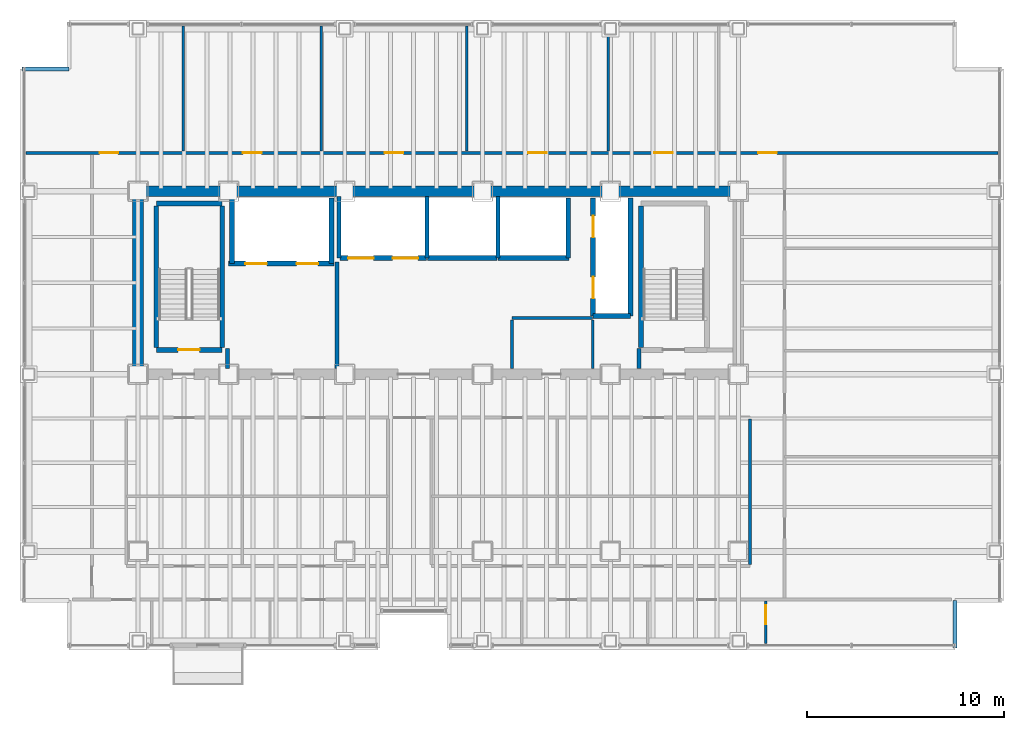
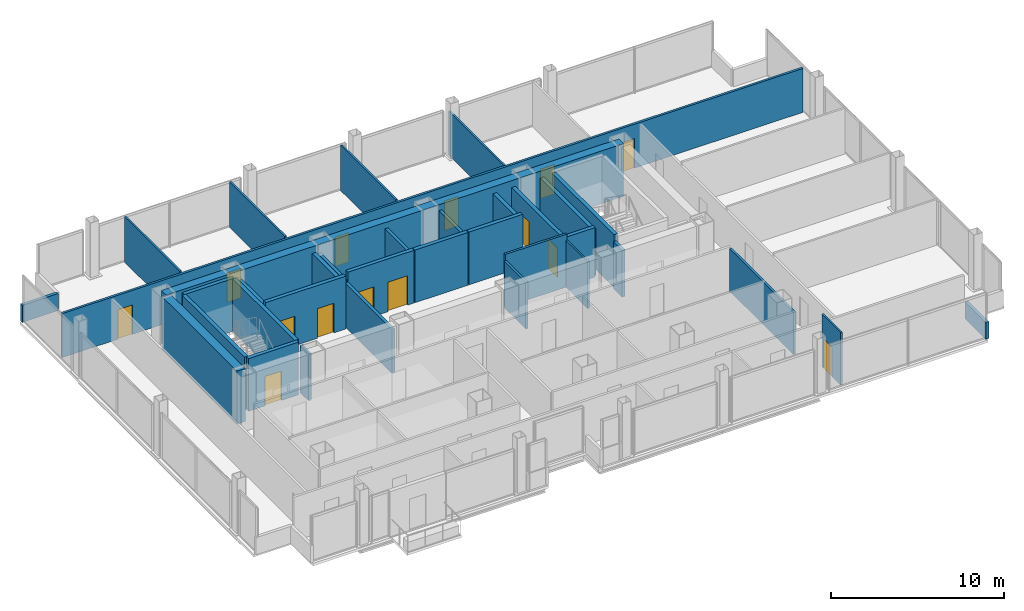
# One storey, part 18 of 20: 35 walls, 14 doors, 14 openings.
"""IFC4 building model written with IfcOpenShell, lengths in metres."""

from ifc_helpers import new_model, si_unit, direction, frame, frame_2d, origin, place, context, subcontext, project, spatial, rectangle, extrude, material, layer, layer_set, type_object, element, fill, save


model = new_model("IFC4")

# Units and contexts
model_context = context("Model", 3, precision=1e-05, world=origin(), true_north=direction((0.0, 1.0)))
body_context = subcontext(model_context, "Body", "Model", "MODEL_VIEW")
ifc_project = project(units=[si_unit("LENGTHUNIT", "METRE"), si_unit("AREAUNIT", "SQUARE_METRE"), si_unit("VOLUMEUNIT", "CUBIC_METRE"), si_unit("PLANEANGLEUNIT", "RADIAN"), si_unit("MASSUNIT", "GRAM", prefix="KILO")], contexts=[model_context])

# Site, building, storey
site_placement = place(None, origin())
site = spatial("IfcSite", under=ifc_project, at=site_placement, CompositionType="ELEMENT")
building_placement = place(site_placement, origin())
building = spatial("IfcBuilding", under=site, at=building_placement, Name="Noeulbin Bourse Tower", CompositionType="ELEMENT")
storey_placement = place(building_placement, frame((0.0, 0.0, 73.300048828125)))
storey = spatial("IfcBuildingStorey", under=building, at=storey_placement, Name="L18", CompositionType="ELEMENT", Elevation=73.300048828125)

# Walls
ifc_material_1 = material(Name="Concrete C60/75", Category="concrete")
ifc_layer_1 = layer(ifc_material_1, 0.550048828125)
ifc_layer_set_1 = layer_set([ifc_layer_1], Name="Concrete C60/75")
wall_type_1 = type_object("IfcWallType", Name="WAL-CORE-550", PredefinedType="SHEAR", material=ifc_layer_set_1)
wall_1_placement = place(storey_placement, frame((13.5, 38.300048828125, 0.0), z_axis=(0.0, 0.0, 1.0), x_axis=(1.0, 0.0, 0.0)))
element("IfcWall", 1, at=wall_1_placement, inside=storey, type_object=wall_type_1, Name="Rear Core North Shear Wall L18", PredefinedType="SHEAR", context=body_context, shape_type="SweptSolid", body=[
    extrude(rectangle(XDim=30.5, YDim=0.550048828125, at=frame_2d((15.25, 0.0))), origin(), (0.0, 0.0, 1.0), 3.719970703125),
])
wall_2_placement = place(storey_placement, frame((13.5, 29.35009765625, 0.0), z_axis=(0.0, 0.0, 1.0), x_axis=(0.0, 1.0, 0.0)))
element("IfcWall", 2, at=wall_2_placement, inside=storey, type_object=wall_type_1, Name="Rear Core West Shear Wall L18", PredefinedType="SHEAR", context=body_context, shape_type="SweptSolid", body=[
    extrude(rectangle(XDim=8.599853515625, YDim=0.550048828125, at=frame_2d((4.2998046875, 0.0))), origin(), (0.0, 0.0, 1.0), 3.719970703125),
])
ifc_material_2 = material(Name="Concrete C40/50", Category="concrete")
ifc_layer_2 = layer(ifc_material_2, 0.199951171875)
ifc_layer_set_2 = layer_set([ifc_layer_2], Name="Concrete C40/50")
wall_type_2 = type_object("IfcWallType", Name="WAL-FIRE-200", PredefinedType="STANDARD", material=ifc_layer_set_2)
for number, where, z_axis, x_axis, name in (
    (3, (18.050048828125, 29.284912109375, 0.0), (0.0, 0.0, 1.0), (0.0, 1.0, 0.0), "Interior Partition Wall L18-15"),
    (4, (38.949951171875, 29.284912109375, 0.0), (0.0, 0.0, 1.0), (0.0, 1.0, 0.0), "Interior Partition Wall L18-16"),
):
    element("IfcWall", number, at=place(storey_placement, frame(where, z_axis=z_axis, x_axis=x_axis)), inside=storey, type_object=wall_type_2, Name=name, PredefinedType="STANDARD", context=body_context, shape_type="SweptSolid", body=[
        extrude(rectangle(XDim=1.01513671875, YDim=0.199951171875, at=frame_2d((0.507568359375, 0.0))), origin(), (0.0, 0.0, 1.0), 3.300048828125),
    ])
wall_3_placement = place(storey_placement, frame((23.60009765625, 29.284912109375, 0.0), z_axis=(0.0, 0.0, 1.0), x_axis=(0.0, 1.0, 0.0)))
element("IfcWall", 5, at=wall_3_placement, inside=storey, type_object=wall_type_2, Name="Interior Partition Wall L18-17", PredefinedType="STANDARD", context=body_context, shape_type="SweptSolid", body=[
    extrude(rectangle(XDim=5.4150390625, YDim=0.199951171875, at=frame_2d((2.70751953125, 0.0))), origin(), (0.0, 0.0, 1.0), 3.099853515625),
])
ifc_layer_3 = layer(ifc_material_2, 0.199951171875)
ifc_layer_set_3 = layer_set([ifc_layer_3], Name="Concrete C40/50")
wall_type_3 = type_object("IfcWallType", Name="WAL-PAR-200", PredefinedType="PARAPET", material=ifc_layer_set_3)
for number, where, z_axis, x_axis, name in (
    (6, (55.0, 15.10009765625, 0.0), (0.0, 0.0, 1.0), (0.0, 1.0, 0.0), "Corner Notch Parapet L18-SE1"),
    (7, (7.60009765625, 44.5, 0.0), (0.0, 0.0, 1.0), (1.0, 0.0, 0.0), "Corner Notch Parapet L18-NW1"),
):
    element("IfcWall", number, at=place(storey_placement, frame(where, z_axis=z_axis, x_axis=x_axis)), inside=storey, type_object=wall_type_3, Name=name, PredefinedType="PARAPET", context=body_context, shape_type="SweptSolid", body=[
        extrude(rectangle(XDim=2.39990234375, YDim=0.199951171875, at=frame_2d((1.199951171875, 0.0))), origin(), (0.0, 0.0, 1.0), 1.199951171875),
    ])
ifc_material_3 = material(Name="Steel Stud Gypsum Partition", Category="steel")
ifc_layer_4 = layer(ifc_material_3, 0.1201171875)
ifc_layer_set_4 = layer_set([ifc_layer_4], Name="Steel Stud Gypsum Partition")
wall_type_4 = type_object("IfcWallType", Name="WAL-PRT-120", PredefinedType="PARTITIONING", material=ifc_layer_set_4)
wall_4_placement = place(storey_placement, frame((36.60009765625, 29.284912109375, 0.0), z_axis=(0.0, 0.0, 1.0), x_axis=(0.0, 1.0, 0.0)))
element("IfcWall", 8, at=wall_4_placement, inside=storey, type_object=wall_type_4, Name="Interior Partition Wall L18-19", PredefinedType="PARTITIONING", context=body_context, shape_type="SweptSolid", body=[
    extrude(rectangle(XDim=2.47998046875, YDim=0.1201171875, at=frame_2d((1.239990234375, 0.0))), origin(), (0.0, 0.0, 1.0), 3.300048828125),
])

# Wall, opening, door
wall_5_placement = place(storey_placement, frame((45.39990234375, 15.31005859375, 0.0), z_axis=(0.0, 0.0, 1.0), x_axis=(0.0, 1.0, 0.0)))
wall_5 = element("IfcWall", 9, at=wall_5_placement, inside=storey, type_object=wall_type_4, Name="Interior Partition Wall L18-30", PredefinedType="PARTITIONING", context=body_context, shape_type="SweptSolid", body=[
    extrude(rectangle(XDim=2.155029296875, YDim=0.1201171875, at=frame_2d((1.07763671875, 0.0))), origin(), (0.0, 0.0, 1.0), 3.719970703125),
])
opening_1_placement = place(wall_5_placement, frame((0.9951171875, 0.0, 0.0)))
opening_1 = element("IfcOpeningElement", 10, at=opening_1_placement, cuts=wall_5, Name="Opening ID-09", PredefinedType="OPENING", context=body_context, shape_type="SweptSolid", body=[
    extrude(rectangle(XDim=0.949951171875, YDim=2.080078125, at=frame_2d((0.47509765625, 1.0400390625))), frame((0.0, 0.070068359375, 0.0), z_axis=(0.0, -1.0, 0.0), x_axis=(1.0, 0.0, 0.0)), (0.0, 0.0, 1.0), 0.14013671875),
])
ifc_material_4 = material(Name="Acoustic Solid-Core Timber", Category="wood")
door_type_1 = type_object("IfcDoorType", Name="DR-SINGLE-950", OperationType="SINGLE_SWING_LEFT", PredefinedType="DOOR", material=ifc_material_4)
door_1_placement = place(opening_1_placement, origin())
door_1 = element("IfcDoor", 11, at=door_1_placement, inside=storey, type_object=door_type_1, Name="Interior Door L18-12", OperationType="SINGLE_SWING_LEFT", OverallHeight=2.080078125, OverallWidth=0.949951171875, PredefinedType="DOOR", context=body_context, shape_type="SweptSolid", body=[
    extrude(rectangle(XDim=0.949951171875, YDim=2.080078125, at=frame_2d((0.47509765625, 1.0400390625))), frame((0.0, 0.02490234375, 0.0), z_axis=(0.0, -1.0, 0.0), x_axis=(1.0, 0.0, 0.0)), (0.0, 0.0, 1.0), 0.050048828125),
])
fill(opening_1, door_1)

# Walls
for number, where, z_axis, x_axis, name in (
    (12, (15.800048828125, 40.3349609375, 0.0), (0.0, 0.0, 1.0), (0.0, 1.0, 0.0), "Interior Partition Wall L18-33"),
    (13, (22.800048828125, 40.3349609375, 0.0), (0.0, 0.0, 1.0), (0.0, 1.0, 0.0), "Interior Partition Wall L18-34"),
    (14, (30.199951171875, 40.3349609375, 0.0), (0.0, 0.0, 1.0), (0.0, 1.0, 0.0), "Interior Partition Wall L18-35"),
):
    element("IfcWall", number, at=place(storey_placement, frame(where, z_axis=z_axis, x_axis=x_axis)), inside=storey, type_object=wall_type_4, Name=name, PredefinedType="PARTITIONING", context=body_context, shape_type="SweptSolid", body=[
        extrude(rectangle(XDim=6.35498046875, YDim=0.1201171875, at=frame_2d((3.177490234375, 0.0))), origin(), (0.0, 0.0, 1.0), 3.2119140625),
    ])
wall_6_placement = place(storey_placement, frame((37.39990234375, 40.3349609375, 0.0), z_axis=(0.0, 0.0, 1.0), x_axis=(0.0, 1.0, 0.0)))
element("IfcWall", 15, at=wall_6_placement, inside=storey, type_object=wall_type_4, Name="Interior Partition Wall L18-36", PredefinedType="PARTITIONING", context=body_context, shape_type="SweptSolid", body=[
    extrude(rectangle(XDim=6.35498046875, YDim=0.1201171875, at=frame_2d((3.177490234375, 0.0))), origin(), (0.0, 0.0, 1.0), 3.099853515625),
])
ifc_material_5 = material(Name="Steel Stud Acoustic Gypsum Board", Category="steel")
ifc_layer_5 = layer(ifc_material_5, 0.14990234375)
ifc_layer_set_5 = layer_set([ifc_layer_5], Name="Steel Stud Acoustic Gypsum Board")
wall_type_5 = type_object("IfcWallType", Name="WAL-PRT-150", PredefinedType="PARTITIONING", material=ifc_layer_set_5)
wall_7_placement = place(storey_placement, frame((32.5, 31.85009765625, 0.0), z_axis=(0.0, 0.0, 1.0), x_axis=(1.0, 0.0, 0.0)))
element("IfcWall", 16, at=wall_7_placement, inside=storey, type_object=wall_type_5, Name="Interior Partition Wall L18-02", PredefinedType="PARTITIONING", context=body_context, shape_type="SweptSolid", body=[
    extrude(rectangle(XDim=4.10009765625, YDim=0.14990234375, at=frame_2d((2.050048828125, 0.0))), origin(), (0.0, 0.0, 1.0), 3.719970703125),
])

# Wall, openings, doors
wall_8_placement = place(storey_placement, frame((7.81005859375, 40.25, 0.0), z_axis=(0.0, 0.0, 1.0), x_axis=(1.0, 0.0, 0.0)))
wall_8 = element("IfcWall", 17, at=wall_8_placement, inside=storey, type_object=wall_type_5, Name="Interior Partition Wall L18-14", PredefinedType="PARTITIONING", context=body_context, shape_type="SweptSolid", body=[
    extrude(rectangle(XDim=49.3798828125, YDim=0.14990234375, at=frame_2d((24.68994140625, 0.0))), origin(), (0.0, 0.0, 1.0), 3.099853515625),
])
opening_2_placement = place(wall_8_placement, frame((3.72998046875, 0.0, 0.0)))
opening_2 = element("IfcOpeningElement", 18, at=opening_2_placement, cuts=wall_8, Name="Opening ID-09", PredefinedType="OPENING", context=body_context, shape_type="SweptSolid", body=[
    extrude(rectangle(XDim=0.949951171875, YDim=2.080078125, at=frame_2d((0.47509765625, 1.0400390625))), frame((0.0, 0.0849609375, 0.0), z_axis=(0.0, -1.0, 0.0), x_axis=(1.0, 0.0, 0.0)), (0.0, 0.0, 1.0), 0.169921875),
])
opening_3_placement = place(wall_8_placement, frame((11.014892578125, 0.0, 0.0)))
opening_3 = element("IfcOpeningElement", 19, at=opening_3_placement, cuts=wall_8, Name="Opening ID-09", PredefinedType="OPENING", context=body_context, shape_type="SweptSolid", body=[
    extrude(rectangle(XDim=0.949951171875, YDim=2.080078125, at=frame_2d((0.47509765625, 1.0400390625))), frame((0.0, 0.0849609375, 0.0), z_axis=(0.0, -1.0, 0.0), x_axis=(1.0, 0.0, 0.0)), (0.0, 0.0, 1.0), 0.169921875),
])
opening_4_placement = place(wall_8_placement, frame((18.215087890625, 0.0, 0.0)))
opening_4 = element("IfcOpeningElement", 20, at=opening_4_placement, cuts=wall_8, Name="Opening ID-09", PredefinedType="OPENING", context=body_context, shape_type="SweptSolid", body=[
    extrude(rectangle(XDim=0.949951171875, YDim=2.080078125, at=frame_2d((0.47509765625, 1.0400390625))), frame((0.0, 0.0849609375, 0.0), z_axis=(0.0, -1.0, 0.0), x_axis=(1.0, 0.0, 0.0)), (0.0, 0.0, 1.0), 0.169921875),
])
opening_5_placement = place(wall_8_placement, frame((25.514892578125, 0.0, 0.0)))
opening_5 = element("IfcOpeningElement", 21, at=opening_5_placement, cuts=wall_8, Name="Opening ID-09", PredefinedType="OPENING", context=body_context, shape_type="SweptSolid", body=[
    extrude(rectangle(XDim=0.949951171875, YDim=2.080078125, at=frame_2d((0.47509765625, 1.0400390625))), frame((0.0, 0.0849609375, 0.0), z_axis=(0.0, -1.0, 0.0), x_axis=(1.0, 0.0, 0.0)), (0.0, 0.0, 1.0), 0.169921875),
])
opening_6_placement = place(wall_8_placement, frame((31.9150390625, 0.0, 0.0)))
opening_6 = element("IfcOpeningElement", 22, at=opening_6_placement, cuts=wall_8, Name="Opening ID-09", PredefinedType="OPENING", context=body_context, shape_type="SweptSolid", body=[
    extrude(rectangle(XDim=0.949951171875, YDim=2.080078125, at=frame_2d((0.47509765625, 1.0400390625))), frame((0.0, 0.0849609375, 0.0), z_axis=(0.0, -1.0, 0.0), x_axis=(1.0, 0.0, 0.0)), (0.0, 0.0, 1.0), 0.169921875),
])
opening_7_placement = place(wall_8_placement, frame((37.199951171875, 0.0, 0.0)))
opening_7 = element("IfcOpeningElement", 23, at=opening_7_placement, cuts=wall_8, Name="Opening ID-09", PredefinedType="OPENING", context=body_context, shape_type="SweptSolid", body=[
    extrude(rectangle(XDim=0.949951171875, YDim=2.080078125, at=frame_2d((0.47509765625, 1.0400390625))), frame((0.0, 0.0849609375, 0.0), z_axis=(0.0, -1.0, 0.0), x_axis=(1.0, 0.0, 0.0)), (0.0, 0.0, 1.0), 0.169921875),
])
door_2_placement = place(opening_2_placement, origin())
door_2 = element("IfcDoor", 24, at=door_2_placement, inside=storey, type_object=door_type_1, Name="Interior Door L18-26", OperationType="SINGLE_SWING_LEFT", OverallHeight=2.080078125, OverallWidth=0.949951171875, PredefinedType="DOOR", context=body_context, shape_type="SweptSolid", body=[
    extrude(rectangle(XDim=0.949951171875, YDim=2.080078125, at=frame_2d((0.47509765625, 1.0400390625))), frame((0.0, 0.02490234375, 0.0), z_axis=(0.0, -1.0, 0.0), x_axis=(1.0, 0.0, 0.0)), (0.0, 0.0, 1.0), 0.050048828125),
])
fill(opening_2, door_2)
door_3_placement = place(opening_3_placement, origin())
door_3 = element("IfcDoor", 25, at=door_3_placement, inside=storey, type_object=door_type_1, Name="Interior Door L18-27", OperationType="SINGLE_SWING_RIGHT", OverallHeight=2.080078125, OverallWidth=0.949951171875, PredefinedType="DOOR", context=body_context, shape_type="SweptSolid", body=[
    extrude(rectangle(XDim=0.949951171875, YDim=2.080078125, at=frame_2d((0.47509765625, 1.0400390625))), frame((0.0, 0.02490234375, 0.0), z_axis=(0.0, -1.0, 0.0), x_axis=(1.0, 0.0, 0.0)), (0.0, 0.0, 1.0), 0.050048828125),
])
fill(opening_3, door_3)
door_4_placement = place(opening_4_placement, origin())
door_4 = element("IfcDoor", 26, at=door_4_placement, inside=storey, type_object=door_type_1, Name="Interior Door L18-28", OperationType="SINGLE_SWING_LEFT", OverallHeight=2.080078125, OverallWidth=0.949951171875, PredefinedType="DOOR", context=body_context, shape_type="SweptSolid", body=[
    extrude(rectangle(XDim=0.949951171875, YDim=2.080078125, at=frame_2d((0.47509765625, 1.0400390625))), frame((0.0, 0.02490234375, 0.0), z_axis=(0.0, -1.0, 0.0), x_axis=(1.0, 0.0, 0.0)), (0.0, 0.0, 1.0), 0.050048828125),
])
fill(opening_4, door_4)
door_5_placement = place(opening_5_placement, origin())
door_5 = element("IfcDoor", 27, at=door_5_placement, inside=storey, type_object=door_type_1, Name="Interior Door L18-29", OperationType="SINGLE_SWING_RIGHT", OverallHeight=2.080078125, OverallWidth=0.949951171875, PredefinedType="DOOR", context=body_context, shape_type="SweptSolid", body=[
    extrude(rectangle(XDim=0.949951171875, YDim=2.080078125, at=frame_2d((0.47509765625, 1.0400390625))), frame((0.0, 0.02490234375, 0.0), z_axis=(0.0, -1.0, 0.0), x_axis=(1.0, 0.0, 0.0)), (0.0, 0.0, 1.0), 0.050048828125),
])
fill(opening_5, door_5)
door_6_placement = place(opening_6_placement, origin())
door_6 = element("IfcDoor", 28, at=door_6_placement, inside=storey, type_object=door_type_1, Name="Interior Door L18-30", OperationType="SINGLE_SWING_LEFT", OverallHeight=2.080078125, OverallWidth=0.949951171875, PredefinedType="DOOR", context=body_context, shape_type="SweptSolid", body=[
    extrude(rectangle(XDim=0.949951171875, YDim=2.080078125, at=frame_2d((0.47509765625, 1.0400390625))), frame((0.0, 0.02490234375, 0.0), z_axis=(0.0, -1.0, 0.0), x_axis=(1.0, 0.0, 0.0)), (0.0, 0.0, 1.0), 0.050048828125),
])
fill(opening_6, door_6)
door_7_placement = place(opening_7_placement, origin())
door_7 = element("IfcDoor", 29, at=door_7_placement, inside=storey, type_object=door_type_1, Name="Interior Door L18-31", OperationType="SINGLE_SWING_RIGHT", OverallHeight=2.080078125, OverallWidth=0.949951171875, PredefinedType="DOOR", context=body_context, shape_type="SweptSolid", body=[
    extrude(rectangle(XDim=0.949951171875, YDim=2.080078125, at=frame_2d((0.47509765625, 1.0400390625))), frame((0.0, 0.02490234375, 0.0), z_axis=(0.0, -1.0, 0.0), x_axis=(1.0, 0.0, 0.0)), (0.0, 0.0, 1.0), 0.050048828125),
])
fill(opening_7, door_7)

# Walls
wall_9_placement = place(storey_placement, frame((32.5, 29.284912109375, 0.0), z_axis=(0.0, 0.0, 1.0), x_axis=(0.0, 1.0, 0.0)))
element("IfcWall", 30, at=wall_9_placement, inside=storey, type_object=wall_type_5, Name="Interior Partition Wall L18-18", PredefinedType="PARTITIONING", context=body_context, shape_type="SweptSolid", body=[
    extrude(rectangle(XDim=2.47998046875, YDim=0.14990234375, at=frame_2d((1.239990234375, 0.0))), origin(), (0.0, 0.0, 1.0), 3.300048828125),
])
wall_10_placement = place(storey_placement, frame((44.60009765625, 19.3349609375, 0.0), z_axis=(0.0, 0.0, 1.0), x_axis=(0.0, 1.0, 0.0)))
element("IfcWall", 31, at=wall_10_placement, inside=storey, type_object=wall_type_5, Name="Interior Partition Wall L18-25", PredefinedType="PARTITIONING", context=body_context, shape_type="SweptSolid", body=[
    extrude(rectangle(XDim=7.380126953125, YDim=0.14990234375, at=frame_2d((3.68994140625, 0.0))), origin(), (0.0, 0.0, 1.0), 3.0),
])

# Wall, opening, door
ifc_layer_6 = layer(ifc_material_2, 0.25)
ifc_layer_set_6 = layer_set([ifc_layer_6], Name="Concrete C40/50")
wall_type_6 = type_object("IfcWallType", Name="WAL-SHFT-250", PredefinedType="STANDARD", material=ifc_layer_set_6)
wall_11_placement = place(storey_placement, frame((14.429931640625, 30.235107421875, 0.0), z_axis=(0.0, 0.0, 1.0), x_axis=(1.0, 0.0, 0.0)))
wall_11 = element("IfcWall", 32, at=wall_11_placement, inside=storey, type_object=wall_type_6, Name="Stair ST-1 South Shaft Wall L18", PredefinedType="STANDARD", context=body_context, shape_type="SweptSolid", body=[
    extrude(rectangle(XDim=3.340087890625, YDim=0.25, at=frame_2d((1.669921875, 0.0))), origin(), (0.0, 0.0, 1.0), 3.719970703125),
])
opening_8_placement = place(wall_11_placement, frame((1.10009765625, 0.0, 0.0)))
opening_8 = element("IfcOpeningElement", 33, at=opening_8_placement, cuts=wall_11, Name="Opening FD-11", PredefinedType="OPENING", context=body_context, shape_type="SweptSolid", body=[
    extrude(rectangle(XDim=1.10009765625, YDim=2.080078125, at=frame_2d((0.550048828125, 1.0400390625))), frame((0.0, 0.135009765625, 0.0), z_axis=(0.0, -1.0, 0.0), x_axis=(1.0, 0.0, 0.0)), (0.0, 0.0, 1.0), 0.27001953125),
])
ifc_material_6 = material(Name="Fire-Rated Insulated Steel", Category="steel")
door_type_2 = type_object("IfcDoorType", Name="DR-FD60-1100", OperationType="SINGLE_SWING_LEFT", PredefinedType="DOOR", material=ifc_material_6)
door_8_placement = place(opening_8_placement, origin())
door_8 = element("IfcDoor", 34, at=door_8_placement, inside=storey, type_object=door_type_2, Name="Protected Stair Entry Door ST1-L18", OperationType="SINGLE_SWING_RIGHT", OverallHeight=2.080078125, OverallWidth=1.10009765625, PredefinedType="DOOR", context=body_context, shape_type="SweptSolid", body=[
    extrude(rectangle(XDim=1.10009765625, YDim=2.080078125, at=frame_2d((0.550048828125, 1.0400390625))), frame((0.0, 0.02490234375, 0.0), z_axis=(0.0, -1.0, 0.0), x_axis=(1.0, 0.0, 0.0)), (0.0, 0.0, 1.0), 0.050048828125),
])
fill(opening_8, door_8)

# Walls
wall_12_placement = place(storey_placement, frame((14.429931640625, 37.6689453125, 0.0), z_axis=(0.0, 0.0, 1.0), x_axis=(1.0, 0.0, 0.0)))
element("IfcWall", 35, at=wall_12_placement, inside=storey, type_object=wall_type_6, Name="Stair ST-1 North Shaft Wall L18", PredefinedType="STANDARD", context=body_context, shape_type="SweptSolid", body=[
    extrude(rectangle(XDim=3.340087890625, YDim=0.25, at=frame_2d((1.669921875, 0.0))), origin(), (0.0, 0.0, 1.0), 3.719970703125),
])
for number, where, z_axis, x_axis, name in (
    (36, (14.425048828125, 30.360107421875, 0.0), (0.0, 0.0, 1.0), (0.0, 1.0, 0.0), "Stair ST-1 West Shaft Wall L18"),
    (37, (17.77490234375, 30.360107421875, 0.0), (0.0, 0.0, 1.0), (0.0, 1.0, 0.0), "Stair ST-1 East Shaft Wall L18"),
    (38, (39.054931640625, 30.360107421875, 0.0), (0.0, 0.0, 1.0), (0.0, 1.0, 0.0), "Stair ST-2 West Shaft Wall L18"),
):
    element("IfcWall", number, at=place(storey_placement, frame(where, z_axis=z_axis, x_axis=x_axis)), inside=storey, type_object=wall_type_6, Name=name, PredefinedType="STANDARD", context=body_context, shape_type="SweptSolid", body=[
        extrude(rectangle(XDim=7.183837890625, YDim=0.25, at=frame_2d((3.591796875, 0.0))), origin(), (0.0, 0.0, 1.0), 3.719970703125),
    ])

# Wall, openings, doors
wall_13_placement = place(storey_placement, frame((18.10009765625, 34.6201171875, 0.0), z_axis=(0.0, 0.0, 1.0), x_axis=(1.0, 0.0, 0.0)))
wall_13 = element("IfcWall", 39, at=wall_13_placement, inside=storey, type_object=wall_type_6, Name="Firefighting Lift Shaft Front L18", PredefinedType="STANDARD", context=body_context, shape_type="SweptSolid", body=[
    extrude(rectangle(XDim=5.349853515625, YDim=0.25, at=frame_2d((2.6748046875, 0.0))), origin(), (0.0, 0.0, 1.0), 3.719970703125),
])
opening_9_placement = place(wall_13_placement, frame((0.85009765625, 0.0, 0.0)))
opening_9 = element("IfcOpeningElement", 40, at=opening_9_placement, cuts=wall_13, Name="Opening LD-11", PredefinedType="OPENING", context=body_context, shape_type="SweptSolid", body=[
    extrude(rectangle(XDim=1.10009765625, YDim=2.080078125, at=frame_2d((0.550048828125, 1.0400390625))), frame((0.0, 0.135009765625, 0.0), z_axis=(0.0, -1.0, 0.0), x_axis=(1.0, 0.0, 0.0)), (0.0, 0.0, 1.0), 0.27001953125),
])
opening_10_placement = place(wall_13_placement, frame((3.449951171875, 0.0, 0.0)))
opening_10 = element("IfcOpeningElement", 41, at=opening_10_placement, cuts=wall_13, Name="Opening LD-11", PredefinedType="OPENING", context=body_context, shape_type="SweptSolid", body=[
    extrude(rectangle(XDim=1.10009765625, YDim=2.080078125, at=frame_2d((0.550048828125, 1.0400390625))), frame((0.0, 0.135009765625, 0.0), z_axis=(0.0, -1.0, 0.0), x_axis=(1.0, 0.0, 0.0)), (0.0, 0.0, 1.0), 0.27001953125),
])
ifc_material_7 = material(Name="Brushed Stainless Steel 316", Category="steel")
door_type_3 = type_object("IfcDoorType", Name="DR-LIFT-1100", OperationType="SLIDING_TO_LEFT", PredefinedType="DOOR", material=ifc_material_7)
door_9_placement = place(opening_9_placement, origin())
door_9 = element("IfcDoor", 42, at=door_9_placement, inside=storey, type_object=door_type_3, Name="Lift Landing Door LD-FL-01-L18", OperationType="SLIDING_TO_LEFT", OverallHeight=2.080078125, OverallWidth=1.10009765625, PredefinedType="DOOR", context=body_context, shape_type="SweptSolid", body=[
    extrude(rectangle(XDim=1.10009765625, YDim=2.080078125, at=frame_2d((0.550048828125, 1.0400390625))), frame((0.0, 0.02490234375, 0.0), z_axis=(0.0, -1.0, 0.0), x_axis=(1.0, 0.0, 0.0)), (0.0, 0.0, 1.0), 0.050048828125),
])
fill(opening_9, door_9)
door_10_placement = place(opening_10_placement, origin())
door_10 = element("IfcDoor", 43, at=door_10_placement, inside=storey, type_object=door_type_3, Name="Lift Landing Door LD-FL-02-L18", OperationType="SLIDING_TO_LEFT", OverallHeight=2.080078125, OverallWidth=1.10009765625, PredefinedType="DOOR", context=body_context, shape_type="SweptSolid", body=[
    extrude(rectangle(XDim=1.10009765625, YDim=2.080078125, at=frame_2d((0.550048828125, 1.0400390625))), frame((0.0, 0.02490234375, 0.0), z_axis=(0.0, -1.0, 0.0), x_axis=(1.0, 0.0, 0.0)), (0.0, 0.0, 1.0), 0.050048828125),
])
fill(opening_10, door_10)

wall_14_placement = place(storey_placement, frame((36.6201171875, 31.949951171875, 0.0), z_axis=(0.0, 0.0, 1.0), x_axis=(0.0, 1.0, 0.0)))
wall_14 = element("IfcWall", 44, at=wall_14_placement, inside=storey, type_object=wall_type_6, Name="Service Lift Shaft Wall L18", PredefinedType="STANDARD", context=body_context, shape_type="SweptSolid", body=[
    extrude(rectangle(XDim=6.0, YDim=0.25, at=frame_2d((3.0, 0.0))), origin(), (0.0, 0.0, 1.0), 3.300048828125),
])
opening_11_placement = place(wall_14_placement, frame((0.89990234375, 0.0, 0.0)))
opening_11 = element("IfcOpeningElement", 45, at=opening_11_placement, cuts=wall_14, Name="Opening LD-11", PredefinedType="OPENING", context=body_context, shape_type="SweptSolid", body=[
    extrude(rectangle(XDim=1.10009765625, YDim=2.080078125, at=frame_2d((0.550048828125, 1.0400390625))), frame((0.0, 0.135009765625, 0.0), z_axis=(0.0, -1.0, 0.0), x_axis=(1.0, 0.0, 0.0)), (0.0, 0.0, 1.0), 0.27001953125),
])
opening_12_placement = place(wall_14_placement, frame((4.0, 0.0, 0.0)))
opening_12 = element("IfcOpeningElement", 46, at=opening_12_placement, cuts=wall_14, Name="Opening LD-11", PredefinedType="OPENING", context=body_context, shape_type="SweptSolid", body=[
    extrude(rectangle(XDim=1.10009765625, YDim=2.080078125, at=frame_2d((0.550048828125, 1.0400390625))), frame((0.0, 0.135009765625, 0.0), z_axis=(0.0, -1.0, 0.0), x_axis=(1.0, 0.0, 0.0)), (0.0, 0.0, 1.0), 0.27001953125),
])
door_11_placement = place(opening_11_placement, origin())
door_11 = element("IfcDoor", 47, at=door_11_placement, inside=storey, type_object=door_type_3, Name="Lift Landing Door LD-EL-01-L18", OperationType="SLIDING_TO_LEFT", OverallHeight=2.080078125, OverallWidth=1.10009765625, PredefinedType="DOOR", context=body_context, shape_type="SweptSolid", body=[
    extrude(rectangle(XDim=1.10009765625, YDim=2.080078125, at=frame_2d((0.550048828125, 1.0400390625))), frame((0.0, 0.02490234375, 0.0), z_axis=(0.0, -1.0, 0.0), x_axis=(1.0, 0.0, 0.0)), (0.0, 0.0, 1.0), 0.050048828125),
])
fill(opening_11, door_11)
door_12_placement = place(opening_12_placement, origin())
door_12 = element("IfcDoor", 48, at=door_12_placement, inside=storey, type_object=door_type_3, Name="Lift Landing Door LD-SV-01-L18", OperationType="SLIDING_TO_LEFT", OverallHeight=2.080078125, OverallWidth=1.10009765625, PredefinedType="DOOR", context=body_context, shape_type="SweptSolid", body=[
    extrude(rectangle(XDim=1.10009765625, YDim=2.080078125, at=frame_2d((0.550048828125, 1.0400390625))), frame((0.0, 0.02490234375, 0.0), z_axis=(0.0, -1.0, 0.0), x_axis=(1.0, 0.0, 0.0)), (0.0, 0.0, 1.0), 0.050048828125),
])
fill(opening_12, door_12)

# Walls
wall_15_placement = place(storey_placement, frame((38.52001953125, 31.949951171875, 0.0), z_axis=(0.0, 0.0, 1.0), x_axis=(0.0, 1.0, 0.0)))
element("IfcWall", 49, at=wall_15_placement, inside=storey, type_object=wall_type_6, Name="Service Lift East Shaft Wall L18", PredefinedType="STANDARD", context=body_context, shape_type="SweptSolid", body=[
    extrude(rectangle(XDim=6.0, YDim=0.25, at=frame_2d((3.0, 0.0))), origin(), (0.0, 0.0, 1.0), 3.300048828125),
])
wall_16_placement = place(storey_placement, frame((36.6201171875, 31.949951171875, 0.0), z_axis=(0.0, 0.0, 1.0), x_axis=(1.0, 0.0, 0.0)))
element("IfcWall", 50, at=wall_16_placement, inside=storey, type_object=wall_type_6, Name="Service Lift South Shaft Wall L18", PredefinedType="STANDARD", context=body_context, shape_type="SweptSolid", body=[
    extrude(rectangle(XDim=1.89990234375, YDim=0.25, at=frame_2d((0.949951171875, 0.0))), origin(), (0.0, 0.0, 1.0), 3.47998046875),
])
for number, where, z_axis, x_axis, name in (
    (51, (18.280029296875, 34.6201171875, 0.0), (0.0, 0.0, 1.0), (0.0, 1.0, 0.0), "Firefighting Lift West Shaft Wall L18"),
    (52, (23.320068359375, 34.6201171875, 0.0), (0.0, 0.0, 1.0), (0.0, 1.0, 0.0), "Firefighting Lift East Shaft Wall L18"),
):
    element("IfcWall", number, at=place(storey_placement, frame(where, z_axis=z_axis, x_axis=x_axis)), inside=storey, type_object=wall_type_6, Name=name, PredefinedType="STANDARD", context=body_context, shape_type="SweptSolid", body=[
        extrude(rectangle(XDim=3.329833984375, YDim=0.25, at=frame_2d((1.6650390625, 0.0))), origin(), (0.0, 0.0, 1.0), 3.300048828125),
    ])
wall_17_placement = place(storey_placement, frame((35.360107421875, 34.89990234375, 0.0), z_axis=(0.0, 0.0, 1.0), x_axis=(0.0, 1.0, 0.0)))
element("IfcWall", 53, at=wall_17_placement, inside=storey, type_object=wall_type_6, Name="High-Rise Lift East Shaft Wall L18", PredefinedType="STANDARD", context=body_context, shape_type="SweptSolid", body=[
    extrude(rectangle(XDim=3.050048828125, YDim=0.25, at=frame_2d((1.52490234375, 0.0))), origin(), (0.0, 0.0, 1.0), 3.300048828125),
])

# Wall, openings, doors
wall_18_placement = place(storey_placement, frame((23.75, 34.89990234375, 0.0), z_axis=(0.0, 0.0, 1.0), x_axis=(1.0, 0.0, 0.0)))
wall_18 = element("IfcWall", 54, at=wall_18_placement, inside=storey, type_object=wall_type_6, Name="Low-Rise Lift Bank Front L18", PredefinedType="STANDARD", context=body_context, shape_type="SweptSolid", body=[
    extrude(rectangle(XDim=4.39990234375, YDim=0.25, at=frame_2d((2.199951171875, 0.0))), origin(), (0.0, 0.0, 1.0), 3.719970703125),
])
opening_13_placement = place(wall_18_placement, frame((0.419921875, 0.0, 0.0)))
opening_13 = element("IfcOpeningElement", 55, at=opening_13_placement, cuts=wall_18, Name="Opening LD-13", PredefinedType="OPENING", context=body_context, shape_type="SweptSolid", body=[
    extrude(rectangle(XDim=1.300048828125, YDim=2.080078125, at=frame_2d((0.64990234375, 1.0400390625))), frame((0.0, 0.135009765625, 0.0), z_axis=(0.0, -1.0, 0.0), x_axis=(1.0, 0.0, 0.0)), (0.0, 0.0, 1.0), 0.27001953125),
])
opening_14_placement = place(wall_18_placement, frame((2.679931640625, 0.0, 0.0)))
opening_14 = element("IfcOpeningElement", 56, at=opening_14_placement, cuts=wall_18, Name="Opening LD-13", PredefinedType="OPENING", context=body_context, shape_type="SweptSolid", body=[
    extrude(rectangle(XDim=1.300048828125, YDim=2.080078125, at=frame_2d((0.64990234375, 1.0400390625))), frame((0.0, 0.135009765625, 0.0), z_axis=(0.0, -1.0, 0.0), x_axis=(1.0, 0.0, 0.0)), (0.0, 0.0, 1.0), 0.27001953125),
])
door_type_4 = type_object("IfcDoorType", Name="DR-LIFT-1300", OperationType="DOUBLE_DOOR_SLIDING", PredefinedType="DOOR", material=ifc_material_7)
door_13_placement = place(opening_13_placement, origin())
door_13 = element("IfcDoor", 57, at=door_13_placement, inside=storey, type_object=door_type_4, Name="Lift Landing Door LD-PL-L1-L18", OperationType="DOUBLE_DOOR_SLIDING", OverallHeight=2.080078125, OverallWidth=1.300048828125, PredefinedType="DOOR", context=body_context, shape_type="SweptSolid", body=[
    extrude(rectangle(XDim=1.300048828125, YDim=2.080078125, at=frame_2d((0.64990234375, 1.0400390625))), frame((0.0, 0.02490234375, 0.0), z_axis=(0.0, -1.0, 0.0), x_axis=(1.0, 0.0, 0.0)), (0.0, 0.0, 1.0), 0.050048828125),
])
fill(opening_13, door_13)
door_14_placement = place(opening_14_placement, origin())
door_14 = element("IfcDoor", 58, at=door_14_placement, inside=storey, type_object=door_type_4, Name="Lift Landing Door LD-PL-L2-L18", OperationType="DOUBLE_DOOR_SLIDING", OverallHeight=2.080078125, OverallWidth=1.300048828125, PredefinedType="DOOR", context=body_context, shape_type="SweptSolid", body=[
    extrude(rectangle(XDim=1.300048828125, YDim=2.080078125, at=frame_2d((0.64990234375, 1.0400390625))), frame((0.0, 0.02490234375, 0.0), z_axis=(0.0, -1.0, 0.0), x_axis=(1.0, 0.0, 0.0)), (0.0, 0.0, 1.0), 0.050048828125),
])
fill(opening_14, door_14)

# Walls
wall_19_placement = place(storey_placement, frame((28.199951171875, 34.89990234375, 0.0), z_axis=(0.0, 0.0, 1.0), x_axis=(1.0, 0.0, 0.0)))
element("IfcWall", 59, at=wall_19_placement, inside=storey, type_object=wall_type_6, Name="Mid-Rise Lift Bank Front L18", PredefinedType="STANDARD", context=body_context, shape_type="SweptSolid", body=[
    extrude(rectangle(XDim=3.550048828125, YDim=0.25, at=frame_2d((1.77490234375, 0.0))), origin(), (0.0, 0.0, 1.0), 3.719970703125),
])
wall_20_placement = place(storey_placement, frame((31.800048828125, 34.89990234375, 0.0), z_axis=(0.0, 0.0, 1.0), x_axis=(1.0, 0.0, 0.0)))
element("IfcWall", 60, at=wall_20_placement, inside=storey, type_object=wall_type_6, Name="High-Rise Lift Bank Front L18", PredefinedType="STANDARD", context=body_context, shape_type="SweptSolid", body=[
    extrude(rectangle(XDim=3.599853515625, YDim=0.25, at=frame_2d((1.7998046875, 0.0))), origin(), (0.0, 0.0, 1.0), 3.719970703125),
])
wall_21_placement = place(storey_placement, frame((23.719970703125, 34.89990234375, 0.0), z_axis=(0.0, 0.0, 1.0), x_axis=(0.0, 1.0, 0.0)))
element("IfcWall", 61, at=wall_21_placement, inside=storey, type_object=wall_type_6, Name="Hoistway Side Shaft Wall L18-PLLW", PredefinedType="STANDARD", context=body_context, shape_type="SweptSolid", body=[
    extrude(rectangle(XDim=3.1201171875, YDim=0.199951171875, at=frame_2d((1.56005859375, 0.0))), origin(), (0.0, 0.0, 1.0), 3.099853515625),
])
for number, where, z_axis, x_axis, name in (
    (62, (28.179931640625, 34.89990234375, 0.0), (0.0, 0.0, 1.0), (0.0, 1.0, 0.0), "Hoistway Side Shaft Wall L18-PLMW"),
    (63, (31.780029296875, 34.89990234375, 0.0), (0.0, 0.0, 1.0), (0.0, 1.0, 0.0), "Hoistway Side Shaft Wall L18-PLHW"),
):
    element("IfcWall", number, at=place(storey_placement, frame(where, z_axis=z_axis, x_axis=x_axis)), inside=storey, type_object=wall_type_6, Name=name, PredefinedType="STANDARD", context=body_context, shape_type="SweptSolid", body=[
        extrude(rectangle(XDim=3.1201171875, YDim=0.199951171875, at=frame_2d((1.56005859375, 0.0))), origin(), (0.0, 0.0, 1.0), 3.300048828125),
    ])

save(model, "model.ifc")
